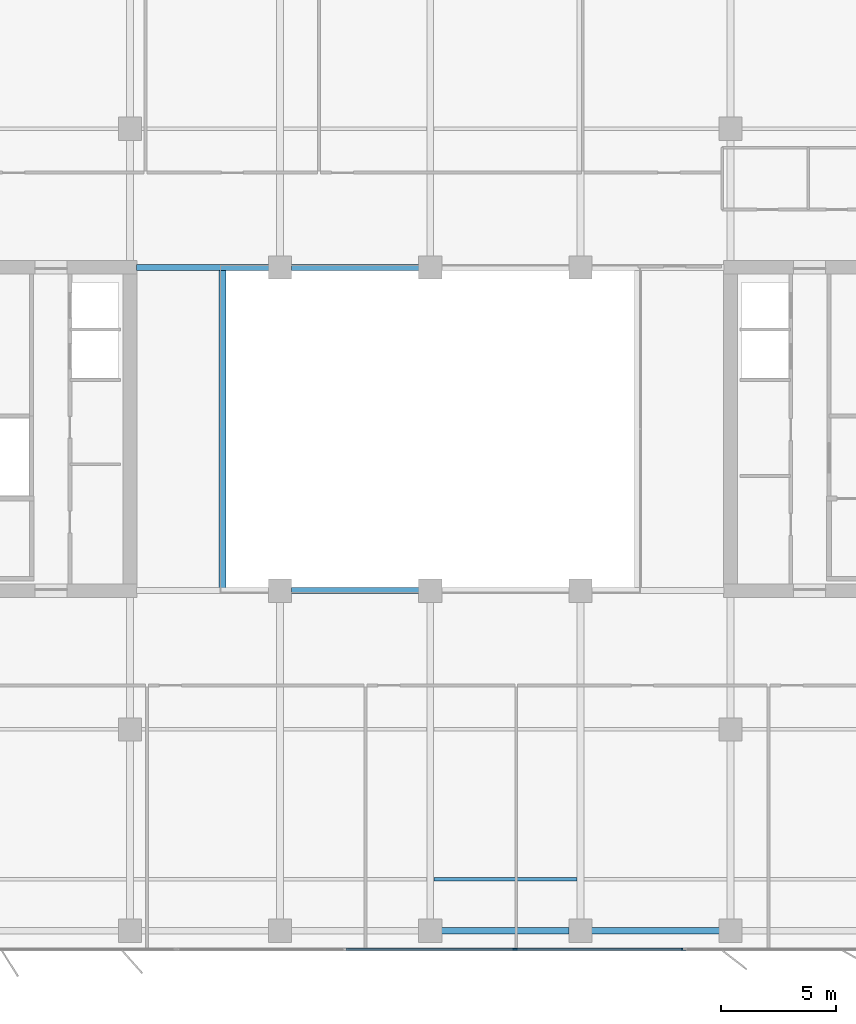
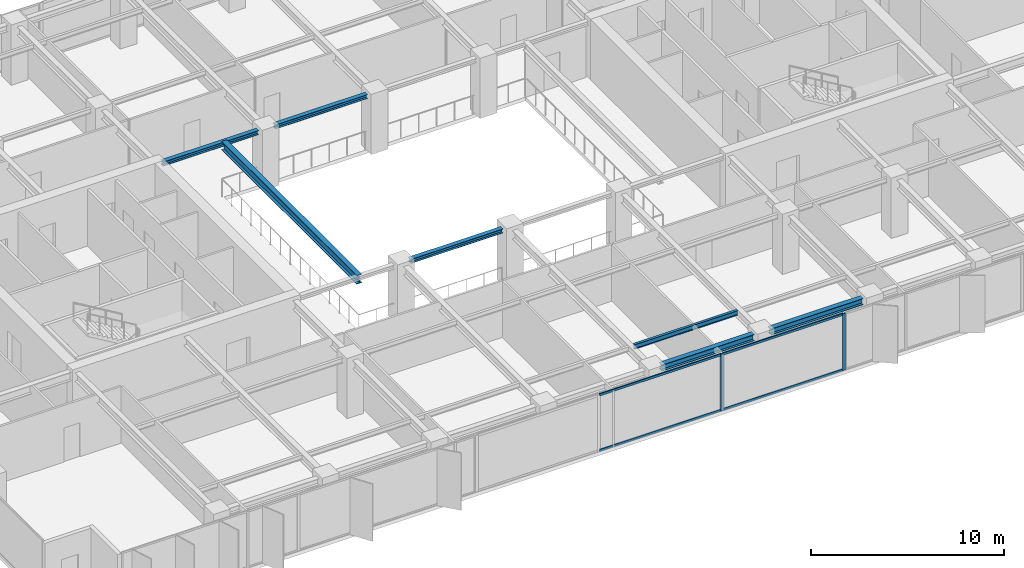
# One storey, part 5 of 22: 7 beams, 6 members, 1 element without a shape of its own.
"""IFC4 building model written with IfcOpenShell, lengths in metres."""

from ifc_helpers import new_model, si_unit, direction, frame, origin, origin_2d, place, context, subcontext, project, spatial, rectangle, i_section, extrude, material, layer, layer_set, material_profile, profile_set, type_object, element, aggregate, save


model = new_model("IFC4")

# Units and contexts
model_context = context("Model", 3, precision=1e-05, world=origin(), true_north=direction((0.0, 1.0)))
body_context = subcontext(model_context, "Body", "Model", "MODEL_VIEW")
ifc_project = project(units=[si_unit("LENGTHUNIT", "METRE"), si_unit("AREAUNIT", "SQUARE_METRE"), si_unit("VOLUMEUNIT", "CUBIC_METRE"), si_unit("PLANEANGLEUNIT", "RADIAN"), si_unit("MASSUNIT", "GRAM", prefix="KILO")], contexts=[model_context])

# Site, building, storey
site_placement = place(None, origin())
site = spatial("IfcSite", under=ifc_project, at=site_placement, CompositionType="ELEMENT")
building_placement = place(site_placement, origin())
building = spatial("IfcBuilding", under=site, at=building_placement, Name="Putna Gate Headquarters", CompositionType="ELEMENT")
storey_placement = place(building_placement, frame((0.0, 0.0, 167.0)))
storey = spatial("IfcBuildingStorey", under=building, at=storey_placement, Name="L41", CompositionType="ELEMENT", Elevation=167.0)

# Beams
ifc_material_1 = material(Name="Steel S355J2", Category="steel")
ifc_material_profile_1 = material_profile(ifc_material_1, i_section(OverallWidth=0.260009765625, OverallDepth=0.260009765625, WebThickness=0.010009765625, FlangeThickness=0.017578125, at=origin_2d()), Name="Steel S355J2")
ifc_profile_set_1 = profile_set([ifc_material_profile_1], Name="Steel S355J2")
beam_type_1 = type_object("IfcBeamType", Name="BM-ATRIUM-HEB260", PredefinedType="BEAM", material=ifc_profile_set_1)
beam_1_placement = place(storey_placement, frame((32.988037109375, 19.0, 3.44189453125), z_axis=(1.0, 0.0, 0.0), x_axis=(0.0, 1.0, 0.0)))
element("IfcBeam", 1, at=beam_1_placement, inside=storey, type_object=beam_type_1, Name="L41 Atrium Edge Beam AS2", PredefinedType="BEAM", context=body_context, shape_type="SweptSolid", body=[
    extrude(i_section(OverallWidth=0.260009765625, OverallDepth=0.260009765625, WebThickness=0.010009765625, FlangeThickness=0.017578125, at=origin_2d()), origin(), (0.0, 0.0, 1.0), 5.52392578125),
])
beam_2_placement = place(storey_placement, frame((26.284912109375, 33.0, 3.44189453125), z_axis=(1.0, 0.0, 0.0), x_axis=(0.0, 1.0, 0.0)))
element("IfcBeam", 2, at=beam_2_placement, inside=storey, type_object=beam_type_1, Name="L41 Atrium Edge Beam AN1", PredefinedType="BEAM", context=body_context, shape_type="SweptSolid", body=[
    extrude(i_section(OverallWidth=0.260009765625, OverallDepth=0.260009765625, WebThickness=0.010009765625, FlangeThickness=0.017578125, at=origin_2d()), origin(), (0.0, 0.0, 1.0), 5.72705078125),
])
beam_3_placement = place(storey_placement, frame((32.988037109375, 33.0, 3.44189453125), z_axis=(1.0, 0.0, 0.0), x_axis=(0.0, 1.0, 0.0)))
element("IfcBeam", 3, at=beam_3_placement, inside=storey, type_object=beam_type_1, Name="L41 Atrium Edge Beam AN2", PredefinedType="BEAM", context=body_context, shape_type="SweptSolid", body=[
    extrude(i_section(OverallWidth=0.260009765625, OverallDepth=0.260009765625, WebThickness=0.010009765625, FlangeThickness=0.017578125, at=origin_2d()), origin(), (0.0, 0.0, 1.0), 5.52392578125),
])
ifc_material_profile_2 = material_profile(ifc_material_1, i_section(OverallWidth=0.300048828125, OverallDepth=0.550048828125, WebThickness=0.014892578125, FlangeThickness=0.029052734375, at=origin_2d()), Name="Steel S355J2")
ifc_profile_set_2 = profile_set([ifc_material_profile_2], Name="Steel S355J2")
beam_type_2 = type_object("IfcBeamType", Name="BM-GIRD-Z3-HEB550", PredefinedType="USERDEFINED", material=ifc_profile_set_2)
beam_4_placement = place(storey_placement, frame((30.0, 19.010009765625, 3.297119140625), z_axis=(0.0, 1.0, 0.0), x_axis=(-1.0, 0.0, 0.0)))
element("IfcBeam", 4, at=beam_4_placement, inside=storey, type_object=beam_type_2, Name="L41 Atrium Trim Girder AW", ObjectType="GIRDER", PredefinedType="USERDEFINED", context=body_context, shape_type="SweptSolid", body=[
    extrude(i_section(OverallWidth=0.300048828125, OverallDepth=0.550048828125, WebThickness=0.014892578125, FlangeThickness=0.029052734375, at=origin_2d()), origin(), (0.0, 0.0, 1.0), 13.97998046875),
])
ifc_material_profile_3 = material_profile(ifc_material_1, i_section(OverallWidth=0.14990234375, OverallDepth=0.300048828125, WebThickness=0.007080078125, FlangeThickness=0.0107421875, at=origin_2d()), Name="Steel S355J2")
ifc_profile_set_3 = profile_set([ifc_material_profile_3], Name="Steel S355J2")
beam_type_3 = type_object("IfcBeamType", Name="BM-SEC-Z3-IPE300", PredefinedType="JOIST", material=ifc_profile_set_3)
beam_5_placement = place(storey_placement, frame((39.154052734375, 6.5, 3.422119140625), z_axis=(1.0, 0.0, 0.0), x_axis=(0.0, 1.0, 0.0)))
element("IfcBeam", 5, at=beam_5_placement, inside=storey, type_object=beam_type_3, Name="L41 South Secondary Beam 5", PredefinedType="JOIST", context=body_context, shape_type="SweptSolid", body=[
    extrude(i_section(OverallWidth=0.14990234375, OverallDepth=0.300048828125, WebThickness=0.007080078125, FlangeThickness=0.0107421875, at=origin_2d()), origin(), (0.0, 0.0, 1.0), 6.19189453125),
])
ifc_material_profile_4 = material_profile(ifc_material_1, i_section(OverallWidth=0.300048828125, OverallDepth=0.39990234375, WebThickness=0.013427734375, FlangeThickness=0.02392578125, at=origin_2d()), Name="Steel S355J2")
ifc_profile_set_4 = profile_set([ifc_material_profile_4], Name="Steel S355J2")
beam_type_4 = type_object("IfcBeamType", Name="BM-SPAN-Z3-HEB400", PredefinedType="SPANDREL", material=ifc_profile_set_4)
for number, where, z_axis, x_axis, name in (
    (6, (39.488037109375, 4.280029296875, 3.3720703125), (1.0, 0.0, 0.0), (0.0, 1.0, 0.0), "L41 S Perimeter Spandrel 5"),
    (7, (45.988037109375, 4.280029296875, 3.3720703125), (1.0, 0.0, 0.0), (0.0, 1.0, 0.0), "L41 S Perimeter Spandrel 6"),
):
    element("IfcBeam", number, at=place(storey_placement, frame(where, z_axis=z_axis, x_axis=x_axis)), inside=storey, type_object=beam_type_4, Name=name, PredefinedType="SPANDREL", context=body_context, shape_type="SweptSolid", body=[
        extrude(i_section(OverallWidth=0.300048828125, OverallDepth=0.39990234375, WebThickness=0.013427734375, FlangeThickness=0.02392578125, at=origin_2d()), origin(), (0.0, 0.0, 1.0), 5.52392578125),
    ])

# Curtain wall, members
ifc_material_2 = material(Name="Anodised bronze aluminium curtain wall", Category="aluminium")
ifc_layer = layer(ifc_material_2, 0.179931640625)
ifc_layer_set = layer_set([ifc_layer], Name="Anodised bronze aluminium curtain wall")
curtain_wall_type = type_object("IfcCurtainWallType", Name="CW-SYS-ATR", PredefinedType="USERDEFINED", material=ifc_layer_set)
curtain_wall_placement = place(storey_placement, origin())
curtain_wall = element("IfcCurtainWall", 8, at=curtain_wall_placement, inside=storey, type_object=curtain_wall_type, Name="L41 South Atrium Clear Glazing", ObjectType="ATRIUM GLAZING", PredefinedType="USERDEFINED")
ifc_material_3 = material(Name="Anodised bronze aluminium EN AW-6060", Category="aluminium")
ifc_material_profile_5 = material_profile(ifc_material_3, rectangle(XDim=0.070068359375, YDim=0.179931640625, at=origin_2d()), Name="Anodised bronze aluminium EN AW-6060")
ifc_profile_set_5 = profile_set([ifc_material_profile_5], Name="Anodised bronze aluminium EN AW-6060")
member_type_1 = type_object("IfcMemberType", Name="MULL-CWM-AT", PredefinedType="MULLION", material=ifc_profile_set_5)
member_1_placement = place(storey_placement, frame((42.666748046875, 3.47998046875, 0.0), z_axis=(0.0, 0.0, 1.0), x_axis=(0.0, 1.0, 0.0)))
member_1 = element("IfcMember", 9, at=member_1_placement, type_object=member_type_1, Name="CWS-AT mullion 3", PredefinedType="MULLION", context=body_context, shape_type="SweptSolid", body=[
    extrude(rectangle(XDim=0.070068359375, YDim=0.179931640625, at=origin_2d()), origin(), (0.0, 0.0, 1.0), 3.572021484375),
])
member_2_placement = place(storey_placement, frame((49.965087890625, 3.47998046875, 0.0), z_axis=(0.0, 0.0, 1.0), x_axis=(0.0, 1.0, 0.0)))
member_2 = element("IfcMember", 10, at=member_2_placement, type_object=member_type_1, Name="CWS-AT mullion 4", PredefinedType="MULLION", context=body_context, shape_type="SweptSolid", body=[
    extrude(rectangle(XDim=0.070068359375, YDim=0.179931640625, at=origin_2d()), origin(), (0.0, 0.0, 1.0), 3.572021484375),
])
ifc_material_profile_6 = material_profile(ifc_material_3, rectangle(XDim=0.070068359375, YDim=0.139892578125, at=origin_2d()), Name="Anodised bronze aluminium EN AW-6060")
ifc_profile_set_6 = profile_set([ifc_material_profile_6], Name="Anodised bronze aluminium EN AW-6060")
member_type_2 = type_object("IfcMemberType", Name="TRAN-CWT-AT", PredefinedType="USERDEFINED", material=ifc_profile_set_6)
member_3_placement = place(storey_placement, frame((35.368408203125, 3.47998046875, 0.034912109375), z_axis=(1.0, 0.0, 0.0), x_axis=(0.0, 1.0, 0.0)))
member_3 = element("IfcMember", 11, at=member_3_placement, type_object=member_type_2, Name="CWS-AT transom 2.1", ObjectType="TRANSOM", PredefinedType="USERDEFINED", context=body_context, shape_type="SweptSolid", body=[
    extrude(rectangle(XDim=0.070068359375, YDim=0.139892578125, at=origin_2d()), origin(), (0.0, 0.0, 1.0), 7.26318359375),
])
member_4_placement = place(storey_placement, frame((35.368408203125, 3.47998046875, 3.537109375), z_axis=(1.0, 0.0, 0.0), x_axis=(0.0, 1.0, 0.0)))
member_4 = element("IfcMember", 12, at=member_4_placement, type_object=member_type_2, Name="CWS-AT transom 2.2", ObjectType="TRANSOM", PredefinedType="USERDEFINED", context=body_context, shape_type="SweptSolid", body=[
    extrude(rectangle(XDim=0.070068359375, YDim=0.139892578125, at=origin_2d()), origin(), (0.0, 0.0, 1.0), 7.26318359375),
])
member_5_placement = place(storey_placement, frame((42.70166015625, 3.47998046875, 0.034912109375), z_axis=(1.0, 0.0, 0.0), x_axis=(0.0, 1.0, 0.0)))
member_5 = element("IfcMember", 13, at=member_5_placement, type_object=member_type_2, Name="CWS-AT transom 3.1", ObjectType="TRANSOM", PredefinedType="USERDEFINED", context=body_context, shape_type="SweptSolid", body=[
    extrude(rectangle(XDim=0.070068359375, YDim=0.139892578125, at=origin_2d()), origin(), (0.0, 0.0, 1.0), 7.228271484375),
])
member_6_placement = place(storey_placement, frame((42.70166015625, 3.47998046875, 3.537109375), z_axis=(1.0, 0.0, 0.0), x_axis=(0.0, 1.0, 0.0)))
member_6 = element("IfcMember", 14, at=member_6_placement, type_object=member_type_2, Name="CWS-AT transom 3.2", ObjectType="TRANSOM", PredefinedType="USERDEFINED", context=body_context, shape_type="SweptSolid", body=[
    extrude(rectangle(XDim=0.070068359375, YDim=0.139892578125, at=origin_2d()), origin(), (0.0, 0.0, 1.0), 7.228271484375),
])
aggregate(curtain_wall, [member_1, member_2, member_3, member_4, member_5, member_6])

save(model, "model.ifc")
